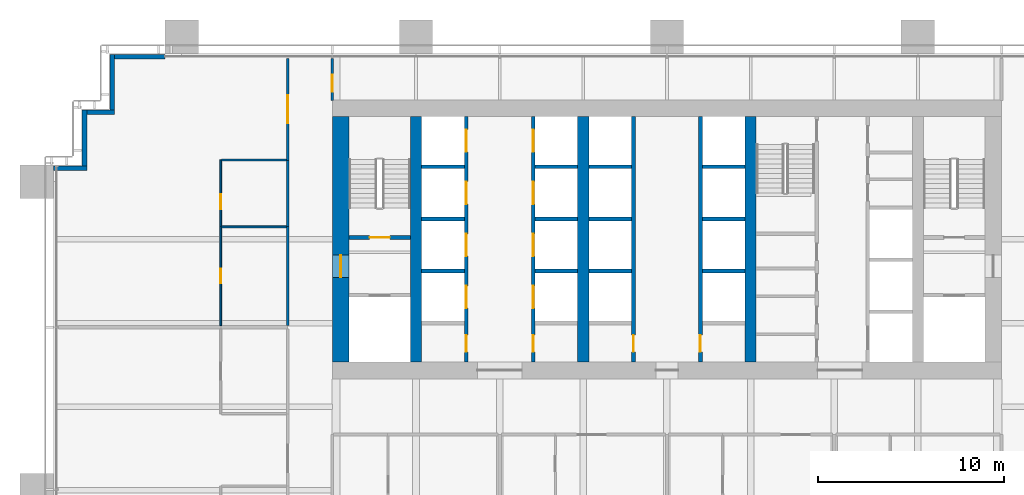
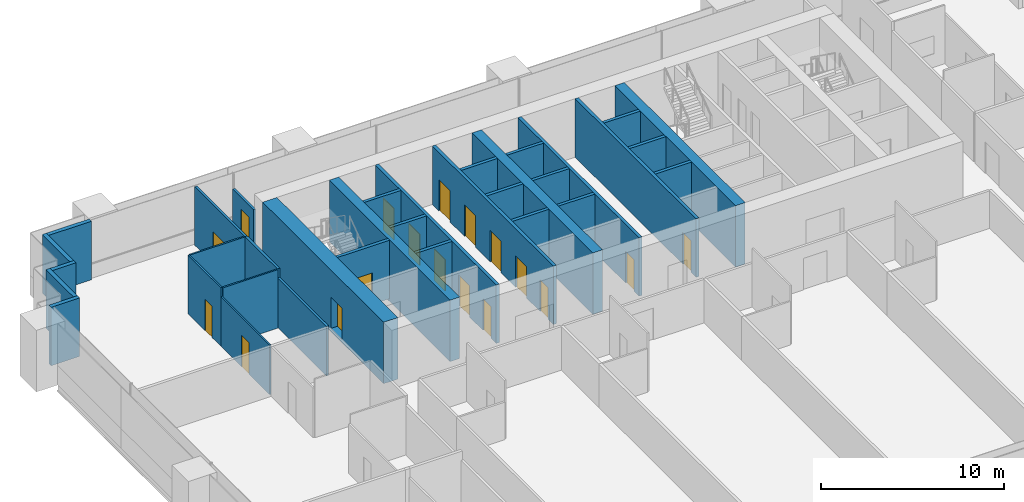
# One storey, part 13 of 19: 34 walls, 18 doors, 18 openings.
"""IFC4 building model written with IfcOpenShell, lengths in metres."""

import ifcopenshell
import ifcopenshell.guid

model = None  # the IFC model being written
_history = None  # IfcOwnerHistory: only IFC2X3 demands one
_inside = {}  # id of a spatial element -> (the spatial element, [elements in it])
_under = {}  # id of a project, library or spatial element -> (it, [spatial elements below it])
_declared = {}  # id of a project -> (the project, [libraries it declares])
_typed = {}  # id of a type object -> (the type object, [elements of that type])
_made_of = {}  # id of a material, layer set ... -> (it, [elements and type objects made of it])


def new_model(schema):
    """Start an empty IFC model of exactly this schema.

    Asked for "IFC4X3", IfcOpenShell would pick the latest addendum, in which some entities
    have other attributes; the version numbers below select the first issue.
    IFC2X3 requires an IfcOwnerHistory on every rooted entity: one is made here for all.
    """
    global model, _history
    if schema == "IFC4X3":
        model = ifcopenshell.file(schema_version=(4, 3, 0, 0))
    else:
        model = ifcopenshell.file(schema=schema)
    _inside.clear()
    _under.clear()
    _declared.clear()
    _typed.clear()
    _made_of.clear()
    _history = None
    if model.schema == "IFC2X3":
        org = make("IfcOrganization", Name="unknown")
        user = make(
            "IfcPersonAndOrganization",
            ThePerson=make("IfcPerson", FamilyName="unknown"),
            TheOrganization=org,
        )
        app = make(
            "IfcApplication",
            ApplicationDeveloper=org,
            Version="unknown",
            ApplicationFullName="unknown",
            ApplicationIdentifier="unknown",
        )
        _history = make(
            "IfcOwnerHistory",
            OwningUser=user,
            OwningApplication=app,
            ChangeAction="ADDED",
            CreationDate=0,
        )
    return model


def make(cls, **values):
    """One entity of the class cls with the attributes given. An attribute that is None is left unset."""
    return model.create_entity(
        cls, **{name: value for name, value in values.items() if value is not None}
    )


def rooted(cls, **values):
    """An entity with a GlobalId (a new one), such as an element, a storey or a relation."""
    return make(cls, GlobalId=ifcopenshell.guid.new(), OwnerHistory=_history, **values)


def si_unit(unit_type, name, prefix=None):
    """IfcSIUnit, for example si_unit("LENGTHUNIT", "METRE", prefix="MILLI")."""
    return make("IfcSIUnit", UnitType=unit_type, Prefix=prefix, Name=name)


def assignment(units):
    """IfcUnitAssignment: the units of a project."""
    return None if units is None else make("IfcUnitAssignment", Units=units)


def point(xyz):
    """IfcCartesianPoint."""
    return None if xyz is None else make("IfcCartesianPoint", Coordinates=xyz)


def direction(xyz):
    """IfcDirection."""
    return None if xyz is None else make("IfcDirection", DirectionRatios=xyz)


def frame(location, z_axis=None, x_axis=None):
    """IfcAxis2Placement3D, a coordinate frame: its origin and axes. An axis left out is left unset."""
    return make(
        "IfcAxis2Placement3D",
        Location=point(location),
        Axis=direction(z_axis),
        RefDirection=direction(x_axis),
    )


def frame_2d(location, x_axis=None):
    """IfcAxis2Placement2D, a coordinate frame in the plane: its origin and x axis."""
    return make(
        "IfcAxis2Placement2D", Location=point(location), RefDirection=direction(x_axis)
    )


def origin():
    """The frame at (0, 0, 0) with its axes left unset."""
    return frame((0.0, 0.0, 0.0))


def place(relative_to, where):
    """IfcLocalPlacement: puts the frame where relative to a parent placement (None: the world)."""
    return make(
        "IfcLocalPlacement", PlacementRelTo=relative_to, RelativePlacement=where
    )


def context(
    kind, dimensions, precision=None, world=None, true_north=None, identifier=None
):
    """IfcGeometricRepresentationContext, for example the 3D "Model" context."""
    return make(
        "IfcGeometricRepresentationContext",
        ContextIdentifier=identifier,
        ContextType=kind,
        CoordinateSpaceDimension=dimensions,
        Precision=precision,
        WorldCoordinateSystem=world,
        TrueNorth=true_north,
    )


def subcontext(parent, identifier, kind, view, scale=None):
    """IfcGeometricRepresentationSubContext, for example "Body" below "Model"."""
    return make(
        "IfcGeometricRepresentationSubContext",
        ContextIdentifier=identifier,
        ContextType=kind,
        ParentContext=parent,
        TargetScale=scale,
        TargetView=view,
    )


def project(units=None, contexts=None):
    """IfcProject with its units and contexts."""
    return rooted(
        "IfcProject",
        Name="project",
        RepresentationContexts=contexts,
        UnitsInContext=assignment(units),
    )


def spatial(cls, under=None, at=None, **own):
    """A site, building, storey or space (cls), placed at a placement, below another one or the project."""
    s = rooted(cls, ObjectPlacement=at, **own)
    if under is not None:
        _under.setdefault(under.id(), (under, []))[1].append(s)
    return s


def profile(cls, at=None, kind="AREA", **sizes):
    """A parametric profile (cls). Its sizes go by their IFC names, for example OverallWidth=200.0."""
    return make(cls, ProfileType=kind, Position=at, **sizes)


def rectangle(**sizes):
    """IfcRectangleProfileDef."""
    return profile("IfcRectangleProfileDef", **sizes)


def extrude(swept, where, along, depth):
    """IfcExtrudedAreaSolid: the profile swept, set in the frame where, extruded along a direction by depth."""
    return make(
        "IfcExtrudedAreaSolid",
        SweptArea=swept,
        Position=where,
        ExtrudedDirection=direction(along),
        Depth=depth,
    )


def shape(context_of_items, identifier, shape_type, items):
    """IfcShapeRepresentation: the items that make up one representation, for example the "Body"."""
    return make(
        "IfcShapeRepresentation",
        ContextOfItems=context_of_items,
        RepresentationIdentifier=identifier,
        RepresentationType=shape_type,
        Items=items,
    )


def material(Name=None, Category=None):
    """IfcMaterial."""
    return make("IfcMaterial", Name=Name, Category=Category)


def layer(
    of_material, thickness, ventilated=None, Name=None, Category=None, Priority=None
):
    """IfcMaterialLayer: one layer of a wall or slab, of a material (None: an air gap)."""
    return make(
        "IfcMaterialLayer",
        Material=of_material,
        LayerThickness=thickness,
        IsVentilated=ventilated,
        Name=Name,
        Category=Category,
        Priority=Priority,
    )


def layer_set(layers, Name=None):
    """IfcMaterialLayerSet."""
    return make("IfcMaterialLayerSet", MaterialLayers=layers, LayerSetName=Name)


def made_of(thing, what):
    """Note that an element or type object is made of a material, layer set ...; save() writes the relation."""
    if what is not None:
        _made_of.setdefault(what.id(), (what, []))[1].append(thing)
    return thing


def type_object(cls, material=None, **own):
    """A type object (cls), such as IfcWallType, which elements share."""
    return made_of(rooted(cls, **own), material)


def element(
    cls,
    number,
    at=None,
    inside=None,
    cuts=None,
    type_object=None,
    material=None,
    context=None,
    identifier="Body",
    shape_type=None,
    held_by="IfcProductDefinitionShape",
    body=None,
    shapes=None,
    **own,
):
    """One element of the class cls, such as IfcWall. Its Tag is "e" and its number.

    at: its placement. inside: the storey or other place that contains it. cuts: it is an
    opening in that element (IfcRelVoidsElement). A single representation is given by context,
    identifier, shape_type and body (its items); several are given by shapes. held_by: the class
    of the entity that holds the representations. save() writes the other relations.
    """
    e = rooted(cls, Tag="e%d" % number, ObjectPlacement=at, **own)
    if body is not None:
        shapes = [shape(context, identifier, shape_type, body)]
    if shapes is not None:
        e.Representation = make(held_by, Representations=shapes)
    if inside is not None:
        _inside.setdefault(inside.id(), (inside, []))[1].append(e)
    if cuts is not None:
        rooted(
            "IfcRelVoidsElement", RelatingBuildingElement=cuts, RelatedOpeningElement=e
        )
    if type_object is not None:
        _typed.setdefault(type_object.id(), (type_object, []))[1].append(e)
    return made_of(e, material)


def fill(opening, filler):
    """IfcRelFillsElement: the door or window that sits in an opening."""
    return rooted(
        "IfcRelFillsElement",
        RelatingOpeningElement=opening,
        RelatedBuildingElement=filler,
    )


def aggregate(whole, parts):
    """IfcRelAggregates: a whole, such as a stair, and the parts it consists of."""
    return rooted("IfcRelAggregates", RelatingObject=whole, RelatedObjects=parts)


def save(model, path):
    """Write the relations noted so far, then the file.

    IfcRelAggregates (storeys below a building ...), IfcRelContainedInSpatialStructure (elements
    in a storey), IfcRelDefinesByType, IfcRelAssociatesMaterial and IfcRelDeclares: one each for
    every whole, place, type object, material and project.
    """
    for whole, parts in _under.values():
        aggregate(whole, parts)
    for where, things in _inside.values():
        rooted(
            "IfcRelContainedInSpatialStructure",
            RelatedElements=things,
            RelatingStructure=where,
        )
    for kind, things in _typed.values():
        rooted("IfcRelDefinesByType", RelatedObjects=things, RelatingType=kind)
    for what, things in _made_of.values():
        rooted("IfcRelAssociatesMaterial", RelatedObjects=things, RelatingMaterial=what)
    for by, libraries in _declared.values():
        rooted("IfcRelDeclares", RelatingContext=by, RelatedDefinitions=libraries)
    model.write(path)


model = new_model("IFC4")

# Units and contexts
model_context = context("Model", 3, precision=1e-05, world=origin(), true_north=direction((0.0, 1.0)))
body_context = subcontext(model_context, "Body", "Model", "MODEL_VIEW")
ifc_project = project(units=[si_unit("LENGTHUNIT", "METRE"), si_unit("AREAUNIT", "SQUARE_METRE"), si_unit("VOLUMEUNIT", "CUBIC_METRE"), si_unit("PLANEANGLEUNIT", "RADIAN"), si_unit("MASSUNIT", "GRAM", prefix="KILO")], contexts=[model_context])

# Site, building, storey
site_placement = place(None, origin())
site = spatial("IfcSite", under=ifc_project, at=site_placement, CompositionType="ELEMENT")
building_placement = place(site_placement, origin())
building = spatial("IfcBuilding", under=site, at=building_placement, Name="Rattan Terrace Tower", CompositionType="ELEMENT")
storey_placement = place(building_placement, frame((0.0, 0.0, 65.199951171875)))
storey = spatial("IfcBuildingStorey", under=building, at=storey_placement, Name="L14", CompositionType="ELEMENT", Elevation=65.199951171875)

# Wall, opening, door
ifc_material_1 = material(Name="Gypsum board partition")
ifc_layer_1 = layer(ifc_material_1, 0.199951171875)
ifc_layer_set_1 = layer_set([ifc_layer_1], Name="Core partition 200")
wall_type_1 = type_object("IfcWallType", Name="Core partition 200", PredefinedType="PARTITIONING", material=ifc_layer_set_1)
wall_1_placement = place(storey_placement, frame((-17.10009765625, 0.10009765625, 0.0), z_axis=(0.0, 0.0, 1.0), x_axis=(1.0, 0.0, 0.0)))
wall_1 = element("IfcWall", 1, at=wall_1_placement, inside=storey, type_object=wall_type_1, Name="Stair enclosure wall", PredefinedType="PARTITIONING", context=body_context, shape_type="SweptSolid", body=[
    extrude(rectangle(XDim=3.300048828125, YDim=0.199951171875, at=frame_2d((1.64990234375, 0.0))), origin(), (0.0, 0.0, 1.0), 3.900146484375),
])
opening_1_placement = place(wall_1_placement, frame((1.10009765625, 0.0, 0.0)))
opening_1 = element("IfcOpeningElement", 2, at=opening_1_placement, cuts=wall_1, Name="Opening L14-D002", PredefinedType="OPENING", context=body_context, shape_type="SweptSolid", body=[
    extrude(rectangle(XDim=1.10009765625, YDim=2.10009765625, at=frame_2d((0.550048828125, 1.050048828125))), frame((0.0, 0.110595703125, 0.0), z_axis=(0.0, -1.0, 0.0), x_axis=(1.0, 0.0, 0.0)), (0.0, 0.0, 1.0), 0.220947265625),
])
ifc_material_2 = material(Name="Hollow-metal fire door leaf")
door_type_1 = type_object("IfcDoorType", Name="Core stair door 1100", OperationType="NOTDEFINED", PredefinedType="DOOR", material=ifc_material_2)
door_1_placement = place(opening_1_placement, origin())
door_1 = element("IfcDoor", 3, at=door_1_placement, inside=storey, type_object=door_type_1, Name="Door L14-D002", OperationType="SINGLE_SWING_RIGHT", OverallHeight=2.10009765625, OverallWidth=1.10009765625, PredefinedType="DOOR", context=body_context, shape_type="SweptSolid", body=[
    extrude(rectangle(XDim=1.10009765625, YDim=2.10009765625, at=frame_2d((0.550048828125, 1.050048828125))), frame((0.0, 0.02490234375, 0.0), z_axis=(0.0, -1.0, 0.0), x_axis=(1.0, 0.0, 0.0)), (0.0, 0.0, 1.0), 0.050048828125),
])
fill(opening_1, door_1)

ifc_material_3 = material(Name="Concrete C70/85", Category="concrete")
ifc_layer_2 = layer(ifc_material_3, 0.89990234375)
ifc_layer_set_2 = layer_set([ifc_layer_2], Name="Core ring wall 900 C70/85")
wall_type_2 = type_object("IfcWallType", Name="Core ring wall 900 C70/85", PredefinedType="SHEAR", material=ifc_layer_set_2)
wall_2_placement = place(storey_placement, frame((-17.550048828125, -6.60009765625, -0.199951171875), z_axis=(0.0, 0.0, 1.0), x_axis=(0.0, 1.0, 0.0)))
wall_2 = element("IfcWall", 4, at=wall_2_placement, inside=storey, type_object=wall_type_2, Name="Rear core wall west", PredefinedType="SHEAR", context=body_context, shape_type="SweptSolid", body=[
    extrude(rectangle(XDim=13.2001953125, YDim=0.89990234375, at=frame_2d((6.60009765625, 0.0))), origin(), (0.0, 0.0, 1.0), 4.10009765625),
])
opening_2_placement = place(wall_2_placement, frame((4.550048828125, 0.0, 0.199951171875)))
opening_2 = element("IfcOpeningElement", 5, at=opening_2_placement, cuts=wall_2, Name="Opening L14-D001", PredefinedType="OPENING", context=body_context, shape_type="SweptSolid", body=[
    extrude(rectangle(XDim=1.199951171875, YDim=2.10009765625, at=frame_2d((0.60009765625, 1.050048828125))), frame((0.0, 0.46044921875, 0.0), z_axis=(0.0, -1.0, 0.0), x_axis=(1.0, 0.0, 0.0)), (0.0, 0.0, 1.0), 0.9208984375),
])
ifc_material_4 = material(Name="Hollow-metal fire door leaf")
door_type_2 = type_object("IfcDoorType", Name="Core fire-fighting lobby door 1200", OperationType="NOTDEFINED", PredefinedType="DOOR", material=ifc_material_4)
door_2_placement = place(opening_2_placement, origin())
door_2 = element("IfcDoor", 6, at=door_2_placement, inside=storey, type_object=door_type_2, Name="Door L14-D001", OperationType="SINGLE_SWING_LEFT", OverallHeight=2.10009765625, OverallWidth=1.199951171875, PredefinedType="DOOR", context=body_context, shape_type="SweptSolid", body=[
    extrude(rectangle(XDim=1.199951171875, YDim=2.10009765625, at=frame_2d((0.60009765625, 1.050048828125))), frame((0.0, 0.02490234375, 0.0), z_axis=(0.0, -1.0, 0.0), x_axis=(1.0, 0.0, 0.0)), (0.0, 0.0, 1.0), 0.050048828125),
])
fill(opening_2, door_2)

# Walls
ifc_material_5 = material(Name="Concrete C70/85", Category="concrete")
ifc_layer_3 = layer(ifc_material_5, 0.60009765625)
ifc_layer_set_3 = layer_set([ifc_layer_3], Name="Core spine wall 600 C70/85")
wall_type_3 = type_object("IfcWallType", Name="Core spine wall 600 C70/85", PredefinedType="SHEAR", material=ifc_layer_set_3)
for number, where, z_axis, x_axis, name in (
    (7, (-13.5, -6.60009765625, -0.199951171875), (0.0, 0.0, 1.0), (0.0, 1.0, 0.0), "Core spine wall 1"),
    (8, (-4.5, -6.60009765625, -0.199951171875), (0.0, 0.0, 1.0), (0.0, 1.0, 0.0), "Core spine wall 2"),
    (9, (4.5, -6.60009765625, -0.199951171875), (0.0, 0.0, 1.0), (0.0, 1.0, 0.0), "Core spine wall 3"),
):
    element("IfcWall", number, at=place(storey_placement, frame(where, z_axis=z_axis, x_axis=x_axis)), inside=storey, type_object=wall_type_3, Name=name, PredefinedType="SHEAR", context=body_context, shape_type="SweptSolid", body=[
        extrude(rectangle(XDim=13.2001953125, YDim=0.60009765625, at=frame_2d((6.60009765625, 0.0))), origin(), (0.0, 0.0, 1.0), 4.10009765625),
    ])
ifc_material_6 = material(Name="Insulated aluminium-clad stud wall", Category="aluminium")
ifc_layer_4 = layer(ifc_material_6, 0.25)
ifc_layer_set_4 = layer_set([ifc_layer_4], Name="Facade Riser Wall 250")
wall_type_4 = type_object("IfcWallType", Name="Facade Riser Wall 250", PredefinedType="SOLIDWALL", material=ifc_layer_set_4)
wall_3_placement = place(storey_placement, frame((-27.0, 9.830078125, 0.0), z_axis=(0.0, 0.0, 1.0), x_axis=(-1.0, 0.0, 0.0)))
element("IfcWall", 10, at=wall_3_placement, inside=storey, type_object=wall_type_4, Name="Riser wall L14-11", PredefinedType="SOLIDWALL", context=body_context, shape_type="SweptSolid", body=[
    extrude(rectangle(XDim=2.705078125, YDim=0.25, at=frame_2d((1.3525390625, 0.0))), origin(), (0.0, 0.0, 1.0), 3.900146484375),
])
wall_4_placement = place(storey_placement, frame((-29.830078125, 9.955078125, 0.0), z_axis=(0.0, 0.0, 1.0), x_axis=(0.0, -1.0, 0.0)))
element("IfcWall", 11, at=wall_4_placement, inside=storey, type_object=wall_type_4, Name="Riser wall L14-12", PredefinedType="SOLIDWALL", context=body_context, shape_type="SweptSolid", body=[
    extrude(rectangle(XDim=3.0, YDim=0.25, at=frame_2d((1.5, 0.0))), origin(), (0.0, 0.0, 1.0), 3.900146484375),
])
wall_5_placement = place(storey_placement, frame((-29.705078125, 6.830078125, 0.0), z_axis=(0.0, 0.0, 1.0), x_axis=(-1.0, 0.0, 0.0)))
element("IfcWall", 12, at=wall_5_placement, inside=storey, type_object=wall_type_4, Name="Riser wall L14-13", PredefinedType="SOLIDWALL", context=body_context, shape_type="SweptSolid", body=[
    extrude(rectangle(XDim=1.5, YDim=0.25, at=frame_2d((0.75, 0.0))), origin(), (0.0, 0.0, 1.0), 3.900146484375),
])
wall_6_placement = place(storey_placement, frame((-31.330078125, 6.955078125, 0.0), z_axis=(0.0, 0.0, 1.0), x_axis=(0.0, -1.0, 0.0)))
element("IfcWall", 13, at=wall_6_placement, inside=storey, type_object=wall_type_4, Name="Riser wall L14-14", PredefinedType="SOLIDWALL", context=body_context, shape_type="SweptSolid", body=[
    extrude(rectangle(XDim=3.0, YDim=0.25, at=frame_2d((1.5, 0.0))), origin(), (0.0, 0.0, 1.0), 3.900146484375),
])
wall_7_placement = place(storey_placement, frame((-31.205078125, 3.830078125, 0.0), z_axis=(0.0, 0.0, 1.0), x_axis=(-1.0, 0.0, 0.0)))
element("IfcWall", 14, at=wall_7_placement, inside=storey, type_object=wall_type_4, Name="Riser wall L14-15", PredefinedType="SOLIDWALL", context=body_context, shape_type="SweptSolid", body=[
    extrude(rectangle(XDim=1.7998046875, YDim=0.25, at=frame_2d((0.89990234375, 0.0))), origin(), (0.0, 0.0, 1.0), 3.900146484375),
])

# Wall, opening, door
ifc_material_7 = material(Name="Gypsum board partition on steel studs", Category="steel")
ifc_layer_5 = layer(ifc_material_7, 0.10009765625)
ifc_layer_set_5 = layer_set([ifc_layer_5], Name="Floors Partition 100")
wall_type_5 = type_object("IfcWallType", Name="Floors Partition 100", PredefinedType="PARTITIONING", material=ifc_layer_set_5)
wall_8_placement = place(storey_placement, frame((-24.0, 0.693115234375, 0.0), z_axis=(0.0, 0.0, 1.0), x_axis=(0.0, -1.0, 0.0)))
wall_8 = element("IfcWall", 15, at=wall_8_placement, inside=storey, type_object=wall_type_5, Name="pt-L14-044", PredefinedType="PARTITIONING", context=body_context, shape_type="SweptSolid", body=[
    extrude(rectangle(XDim=5.330078125, YDim=0.10009765625, at=frame_2d((2.6650390625, 0.0))), origin(), (0.0, 0.0, 1.0), 3.300048828125),
])
opening_3_placement = place(wall_8_placement, frame((2.264892578125, 0.0, 0.0)))
opening_3 = element("IfcOpeningElement", 16, at=opening_3_placement, cuts=wall_8, Name="Opening L14-D107", PredefinedType="OPENING", context=body_context, shape_type="SweptSolid", body=[
    extrude(rectangle(XDim=0.800048828125, YDim=2.10009765625, at=frame_2d((0.39990234375, 1.050048828125))), frame((0.0, 0.060546875, 0.0), z_axis=(0.0, -1.0, 0.0), x_axis=(1.0, 0.0, 0.0)), (0.0, 0.0, 1.0), 0.12109375),
])
ifc_material_8 = material(Name="Solid core timber door, painted", Category="wood")
door_type_3 = type_object("IfcDoorType", Name="Floors Store Door 800x2100", OperationType="NOTDEFINED", PredefinedType="DOOR", material=ifc_material_8)
door_3_placement = place(opening_3_placement, origin())
door_3 = element("IfcDoor", 17, at=door_3_placement, inside=storey, type_object=door_type_3, Name="d-L14-107", OperationType="SINGLE_SWING_RIGHT", OverallHeight=2.10009765625, OverallWidth=0.800048828125, PredefinedType="DOOR", context=body_context, shape_type="SweptSolid", body=[
    extrude(rectangle(XDim=0.800048828125, YDim=2.10009765625, at=frame_2d((0.39990234375, 1.050048828125))), frame((0.0, 0.02490234375, 0.0), z_axis=(0.0, -1.0, 0.0), x_axis=(1.0, 0.0, 0.0)), (0.0, 0.0, 1.0), 0.050048828125),
])
fill(opening_3, door_3)

wall_9_placement = place(storey_placement, frame((-24.0, 4.27294921875, 0.0), z_axis=(0.0, 0.0, 1.0), x_axis=(0.0, -1.0, 0.0)))
wall_9 = element("IfcWall", 18, at=wall_9_placement, inside=storey, type_object=wall_type_5, Name="pt-L14-045", PredefinedType="PARTITIONING", context=body_context, shape_type="SweptSolid", body=[
    extrude(rectangle(XDim=3.579833984375, YDim=0.10009765625, at=frame_2d((1.7900390625, 0.0))), origin(), (0.0, 0.0, 1.0), 3.900146484375),
])
opening_4_placement = place(wall_9_placement, frame((1.845947265625, 0.0, 0.0)))
opening_4 = element("IfcOpeningElement", 19, at=opening_4_placement, cuts=wall_9, Name="Opening L14-D108", PredefinedType="OPENING", context=body_context, shape_type="SweptSolid", body=[
    extrude(rectangle(XDim=0.800048828125, YDim=2.10009765625, at=frame_2d((0.39990234375, 1.050048828125))), frame((0.0, 0.060546875, 0.0), z_axis=(0.0, -1.0, 0.0), x_axis=(1.0, 0.0, 0.0)), (0.0, 0.0, 1.0), 0.12109375),
])
door_4_placement = place(opening_4_placement, origin())
door_4 = element("IfcDoor", 20, at=door_4_placement, inside=storey, type_object=door_type_3, Name="d-L14-108", OperationType="SINGLE_SWING_RIGHT", OverallHeight=2.10009765625, OverallWidth=0.800048828125, PredefinedType="DOOR", context=body_context, shape_type="SweptSolid", body=[
    extrude(rectangle(XDim=0.800048828125, YDim=2.10009765625, at=frame_2d((0.39990234375, 1.050048828125))), frame((0.0, 0.02490234375, 0.0), z_axis=(0.0, -1.0, 0.0), x_axis=(1.0, 0.0, 0.0)), (0.0, 0.0, 1.0), 0.050048828125),
])
fill(opening_4, door_4)

# Walls
for number, where, z_axis, x_axis, name in (
    (21, (-20.47509765625, 4.27294921875, 0.0), (0.0, 0.0, 1.0), (-1.0, 0.0, 0.0), "pt-L14-046"),
    (22, (-23.949951171875, 0.673095703125, 0.0), (0.0, 0.0, 1.0), (1.0, 0.0, 0.0), "pt-L14-047"),
):
    element("IfcWall", number, at=place(storey_placement, frame(where, z_axis=z_axis, x_axis=x_axis)), inside=storey, type_object=wall_type_5, Name=name, PredefinedType="PARTITIONING", context=body_context, shape_type="SweptSolid", body=[
        extrude(rectangle(XDim=3.474853515625, YDim=0.10009765625, at=frame_2d((1.7373046875, 0.0))), origin(), (0.0, 0.0, 1.0), 3.900146484375),
    ])

# Wall, opening, door
ifc_material_9 = material(Name="Gypsum board partition on steel studs, fire rated", Category="steel")
ifc_layer_6 = layer(ifc_material_9, 0.14990234375)
ifc_layer_set_6 = layer_set([ifc_layer_6], Name="Floors Tenancy Wall 150")
wall_type_6 = type_object("IfcWallType", Name="Floors Tenancy Wall 150", PredefinedType="PARTITIONING", material=ifc_layer_set_6)
wall_10_placement = place(storey_placement, frame((-20.39990234375, 4.2529296875, 0.0), z_axis=(0.0, 0.0, 1.0), x_axis=(0.0, 1.0, 0.0)))
wall_10 = element("IfcWall", 23, at=wall_10_placement, inside=storey, type_object=wall_type_6, Name="pt-L14-007", PredefinedType="PARTITIONING", context=body_context, shape_type="SweptSolid", body=[
    extrude(rectangle(XDim=5.487060546875, YDim=0.14990234375, at=frame_2d((2.74365234375, 0.0))), origin(), (0.0, 0.0, 1.0), 3.900146484375),
])
opening_5_placement = place(wall_10_placement, frame((1.993896484375, 0.0, 0.0)))
opening_5 = element("IfcOpeningElement", 24, at=opening_5_placement, cuts=wall_10, Name="Opening L14-D106", PredefinedType="OPENING", context=body_context, shape_type="SweptSolid", body=[
    extrude(rectangle(XDim=1.5, YDim=2.10009765625, at=frame_2d((0.75, 1.050048828125))), frame((0.0, 0.08544921875, 0.0), z_axis=(0.0, -1.0, 0.0), x_axis=(1.0, 0.0, 0.0)), (0.0, 0.0, 1.0), 0.1708984375),
])
ifc_material_10 = material(Name="Steel fire door set", Category="steel")
door_type_4 = type_object("IfcDoorType", Name="Floors Unit Door Pair FD30S 1500x2100", OperationType="NOTDEFINED", PredefinedType="DOOR", material=ifc_material_10)
door_5_placement = place(opening_5_placement, origin())
door_5 = element("IfcDoor", 25, at=door_5_placement, inside=storey, type_object=door_type_4, Name="d-L14-106", OperationType="DOUBLE_DOOR_SINGLE_SWING", OverallHeight=2.10009765625, OverallWidth=1.5, PredefinedType="DOOR", context=body_context, shape_type="SweptSolid", body=[
    extrude(rectangle(XDim=1.5, YDim=2.10009765625, at=frame_2d((0.75, 1.050048828125))), frame((0.0, 0.02490234375, 0.0), z_axis=(0.0, -1.0, 0.0), x_axis=(1.0, 0.0, 0.0)), (0.0, 0.0, 1.0), 0.050048828125),
])
fill(opening_5, door_5)

# Walls
wall_11_placement = place(storey_placement, frame((-20.39990234375, -4.636962890625, 0.0), z_axis=(0.0, 0.0, 1.0), x_axis=(0.0, 1.0, 0.0)))
element("IfcWall", 26, at=wall_11_placement, inside=storey, type_object=wall_type_6, Name="pt-L14-008", PredefinedType="PARTITIONING", context=body_context, shape_type="SweptSolid", body=[
    extrude(rectangle(XDim=5.330078125, YDim=0.14990234375, at=frame_2d((2.6650390625, 0.0))), origin(), (0.0, 0.0, 1.0), 3.300048828125),
])
wall_12_placement = place(storey_placement, frame((-20.39990234375, 0.693115234375, 0.0), z_axis=(0.0, 0.0, 1.0), x_axis=(0.0, 1.0, 0.0)))
element("IfcWall", 27, at=wall_12_placement, inside=storey, type_object=wall_type_6, Name="pt-L14-009", PredefinedType="PARTITIONING", context=body_context, shape_type="SweptSolid", body=[
    extrude(rectangle(XDim=3.559814453125, YDim=0.14990234375, at=frame_2d((1.77978515625, 0.0))), origin(), (0.0, 0.0, 1.0), 3.900146484375),
])

# Wall, opening, door
wall_13_placement = place(storey_placement, frame((-18.0, 9.739990234375, 0.0), z_axis=(0.0, 0.0, 1.0), x_axis=(0.0, -1.0, 0.0)))
wall_13 = element("IfcWall", 28, at=wall_13_placement, inside=storey, type_object=wall_type_6, Name="pt-L14-018", PredefinedType="PARTITIONING", context=body_context, shape_type="SweptSolid", body=[
    extrude(rectangle(XDim=2.260009765625, YDim=0.14990234375, at=frame_2d((1.1298828125, 0.0))), origin(), (0.0, 0.0, 1.0), 2.900146484375),
])
opening_6_placement = place(wall_13_placement, frame((0.89501953125, 0.0, 0.0)))
opening_6 = element("IfcOpeningElement", 29, at=opening_6_placement, cuts=wall_13, Name="Opening L14-D117", PredefinedType="OPENING", context=body_context, shape_type="SweptSolid", body=[
    extrude(rectangle(XDim=0.89990234375, YDim=2.10009765625, at=frame_2d((0.449951171875, 1.050048828125))), frame((0.0, 0.08544921875, 0.0), z_axis=(0.0, -1.0, 0.0), x_axis=(1.0, 0.0, 0.0)), (0.0, 0.0, 1.0), 0.1708984375),
])
ifc_material_11 = material(Name="Steel fire door set", Category="steel")
door_type_5 = type_object("IfcDoorType", Name="Floors Fire Door FD30S 900x2100", OperationType="NOTDEFINED", PredefinedType="DOOR", material=ifc_material_11)
door_6_placement = place(opening_6_placement, origin())
door_6 = element("IfcDoor", 30, at=door_6_placement, inside=storey, type_object=door_type_5, Name="d-L14-117", OperationType="SINGLE_SWING_RIGHT", OverallHeight=2.10009765625, OverallWidth=0.89990234375, PredefinedType="DOOR", context=body_context, shape_type="SweptSolid", body=[
    extrude(rectangle(XDim=0.89990234375, YDim=2.10009765625, at=frame_2d((0.449951171875, 1.050048828125))), frame((0.0, 0.02490234375, 0.0), z_axis=(0.0, -1.0, 0.0), x_axis=(1.0, 0.0, 0.0)), (0.0, 0.0, 1.0), 0.050048828125),
])
fill(opening_6, door_6)

# Wall, openings, doors
ifc_material_12 = material(Name="Gypsum shaft wall system")
ifc_layer_7 = layer(ifc_material_12, 0.199951171875)
ifc_layer_set_7 = layer_set([ifc_layer_7], Name="Lift shaft wall 200")
wall_type_7 = type_object("IfcWallType", Name="Lift shaft wall 200", PredefinedType="PARTITIONING", material=ifc_layer_set_7)
wall_14_placement = place(storey_placement, frame((-10.800048828125, -6.60009765625, 0.0), z_axis=(0.0, 0.0, 1.0), x_axis=(0.0, 1.0, 0.0)))
wall_14 = element("IfcWall", 31, at=wall_14_placement, inside=storey, type_object=wall_type_7, Name="Lift shaft front wall", PredefinedType="PARTITIONING", context=body_context, shape_type="SweptSolid", body=[
    extrude(rectangle(XDim=13.2001953125, YDim=0.199951171875, at=frame_2d((6.60009765625, 0.0))), origin(), (0.0, 0.0, 1.0), 3.900146484375),
])
opening_7_placement = place(wall_14_placement, frame((0.550048828125, 0.0, 0.0)))
opening_7 = element("IfcOpeningElement", 32, at=opening_7_placement, cuts=wall_14, Name="Opening L14-D005", PredefinedType="OPENING", context=body_context, shape_type="SweptSolid", body=[
    extrude(rectangle(XDim=0.89990234375, YDim=2.10009765625, at=frame_2d((0.449951171875, 1.050048828125))), frame((0.0, 0.110595703125, 0.0), z_axis=(0.0, -1.0, 0.0), x_axis=(1.0, 0.0, 0.0)), (0.0, 0.0, 1.0), 0.220947265625),
])
opening_8_placement = place(wall_14_placement, frame((2.89990234375, 0.0, 0.0)))
opening_8 = element("IfcOpeningElement", 33, at=opening_8_placement, cuts=wall_14, Name="Opening L14-LD-LR1", PredefinedType="OPENING", context=body_context, shape_type="SweptSolid", body=[
    extrude(rectangle(XDim=1.199951171875, YDim=2.10009765625, at=frame_2d((0.60009765625, 1.050048828125))), frame((0.0, 0.110595703125, 0.0), z_axis=(0.0, -1.0, 0.0), x_axis=(1.0, 0.0, 0.0)), (0.0, 0.0, 1.0), 0.220947265625),
])
opening_9_placement = place(wall_14_placement, frame((5.699951171875, 0.0, 0.0)))
opening_9 = element("IfcOpeningElement", 34, at=opening_9_placement, cuts=wall_14, Name="Opening L14-LD-LR2", PredefinedType="OPENING", context=body_context, shape_type="SweptSolid", body=[
    extrude(rectangle(XDim=1.199951171875, YDim=2.10009765625, at=frame_2d((0.60009765625, 1.050048828125))), frame((0.0, 0.110595703125, 0.0), z_axis=(0.0, -1.0, 0.0), x_axis=(1.0, 0.0, 0.0)), (0.0, 0.0, 1.0), 0.220947265625),
])
opening_10_placement = place(wall_14_placement, frame((8.5, 0.0, 0.0)))
opening_10 = element("IfcOpeningElement", 35, at=opening_10_placement, cuts=wall_14, Name="Opening L14-LD-LR3", PredefinedType="OPENING", context=body_context, shape_type="SweptSolid", body=[
    extrude(rectangle(XDim=1.199951171875, YDim=2.10009765625, at=frame_2d((0.60009765625, 1.050048828125))), frame((0.0, 0.110595703125, 0.0), z_axis=(0.0, -1.0, 0.0), x_axis=(1.0, 0.0, 0.0)), (0.0, 0.0, 1.0), 0.220947265625),
])
opening_11_placement = place(wall_14_placement, frame((11.300048828125, 0.0, 0.0)))
opening_11 = element("IfcOpeningElement", 36, at=opening_11_placement, cuts=wall_14, Name="Opening L14-LD-LR4", PredefinedType="OPENING", context=body_context, shape_type="SweptSolid", body=[
    extrude(rectangle(XDim=1.199951171875, YDim=2.10009765625, at=frame_2d((0.60009765625, 1.050048828125))), frame((0.0, 0.110595703125, 0.0), z_axis=(0.0, -1.0, 0.0), x_axis=(1.0, 0.0, 0.0)), (0.0, 0.0, 1.0), 0.220947265625),
])
ifc_material_13 = material(Name="Brushed stainless landing door panel")
door_type_6 = type_object("IfcDoorType", Name="Core lift landing door 1200", OperationType="DOUBLE_DOOR_SLIDING", PredefinedType="DOOR", material=ifc_material_13)
door_7_placement = place(opening_8_placement, origin())
door_7 = element("IfcDoor", 37, at=door_7_placement, inside=storey, type_object=door_type_6, Name="Door L14-LD-LR1", OperationType="DOUBLE_DOOR_SLIDING", OverallHeight=2.10009765625, OverallWidth=1.199951171875, PredefinedType="DOOR", context=body_context, shape_type="SweptSolid", body=[
    extrude(rectangle(XDim=1.199951171875, YDim=2.10009765625, at=frame_2d((0.60009765625, 1.050048828125))), frame((0.0, 0.02490234375, 0.0), z_axis=(0.0, -1.0, 0.0), x_axis=(1.0, 0.0, 0.0)), (0.0, 0.0, 1.0), 0.050048828125),
])
fill(opening_8, door_7)
door_8_placement = place(opening_9_placement, origin())
door_8 = element("IfcDoor", 38, at=door_8_placement, inside=storey, type_object=door_type_6, Name="Door L14-LD-LR2", OperationType="DOUBLE_DOOR_SLIDING", OverallHeight=2.10009765625, OverallWidth=1.199951171875, PredefinedType="DOOR", context=body_context, shape_type="SweptSolid", body=[
    extrude(rectangle(XDim=1.199951171875, YDim=2.10009765625, at=frame_2d((0.60009765625, 1.050048828125))), frame((0.0, 0.02490234375, 0.0), z_axis=(0.0, -1.0, 0.0), x_axis=(1.0, 0.0, 0.0)), (0.0, 0.0, 1.0), 0.050048828125),
])
fill(opening_9, door_8)
door_9_placement = place(opening_10_placement, origin())
door_9 = element("IfcDoor", 39, at=door_9_placement, inside=storey, type_object=door_type_6, Name="Door L14-LD-LR3", OperationType="DOUBLE_DOOR_SLIDING", OverallHeight=2.10009765625, OverallWidth=1.199951171875, PredefinedType="DOOR", context=body_context, shape_type="SweptSolid", body=[
    extrude(rectangle(XDim=1.199951171875, YDim=2.10009765625, at=frame_2d((0.60009765625, 1.050048828125))), frame((0.0, 0.02490234375, 0.0), z_axis=(0.0, -1.0, 0.0), x_axis=(1.0, 0.0, 0.0)), (0.0, 0.0, 1.0), 0.050048828125),
])
fill(opening_10, door_9)
door_10_placement = place(opening_11_placement, origin())
door_10 = element("IfcDoor", 40, at=door_10_placement, inside=storey, type_object=door_type_6, Name="Door L14-LD-LR4", OperationType="DOUBLE_DOOR_SLIDING", OverallHeight=2.10009765625, OverallWidth=1.199951171875, PredefinedType="DOOR", context=body_context, shape_type="SweptSolid", body=[
    extrude(rectangle(XDim=1.199951171875, YDim=2.10009765625, at=frame_2d((0.60009765625, 1.050048828125))), frame((0.0, 0.02490234375, 0.0), z_axis=(0.0, -1.0, 0.0), x_axis=(1.0, 0.0, 0.0)), (0.0, 0.0, 1.0), 0.050048828125),
])
fill(opening_11, door_10)
ifc_material_14 = material(Name="Hollow-metal fire door leaf")
door_type_7 = type_object("IfcDoorType", Name="Core riser door 900", OperationType="NOTDEFINED", PredefinedType="DOOR", material=ifc_material_14)
door_11_placement = place(opening_7_placement, origin())
door_11 = element("IfcDoor", 41, at=door_11_placement, inside=storey, type_object=door_type_7, Name="Door L14-D005", OperationType="SINGLE_SWING_LEFT", OverallHeight=2.10009765625, OverallWidth=0.89990234375, PredefinedType="DOOR", context=body_context, shape_type="SweptSolid", body=[
    extrude(rectangle(XDim=0.89990234375, YDim=2.10009765625, at=frame_2d((0.449951171875, 1.050048828125))), frame((0.0, 0.02490234375, 0.0), z_axis=(0.0, -1.0, 0.0), x_axis=(1.0, 0.0, 0.0)), (0.0, 0.0, 1.0), 0.050048828125),
])
fill(opening_7, door_11)

wall_15_placement = place(storey_placement, frame((-7.199951171875, -6.60009765625, 0.0), z_axis=(0.0, 0.0, 1.0), x_axis=(0.0, 1.0, 0.0)))
wall_15 = element("IfcWall", 42, at=wall_15_placement, inside=storey, type_object=wall_type_7, Name="Lift shaft front wall", PredefinedType="PARTITIONING", context=body_context, shape_type="SweptSolid", body=[
    extrude(rectangle(XDim=13.2001953125, YDim=0.199951171875, at=frame_2d((6.60009765625, 0.0))), origin(), (0.0, 0.0, 1.0), 3.900146484375),
])
opening_12_placement = place(wall_15_placement, frame((0.550048828125, 0.0, 0.0)))
opening_12 = element("IfcOpeningElement", 43, at=opening_12_placement, cuts=wall_15, Name="Opening L14-D006", PredefinedType="OPENING", context=body_context, shape_type="SweptSolid", body=[
    extrude(rectangle(XDim=0.89990234375, YDim=2.10009765625, at=frame_2d((0.449951171875, 1.050048828125))), frame((0.0, 0.110595703125, 0.0), z_axis=(0.0, -1.0, 0.0), x_axis=(1.0, 0.0, 0.0)), (0.0, 0.0, 1.0), 0.220947265625),
])
opening_13_placement = place(wall_15_placement, frame((2.89990234375, 0.0, 0.0)))
opening_13 = element("IfcOpeningElement", 44, at=opening_13_placement, cuts=wall_15, Name="Opening L14-LD-LR5", PredefinedType="OPENING", context=body_context, shape_type="SweptSolid", body=[
    extrude(rectangle(XDim=1.199951171875, YDim=2.10009765625, at=frame_2d((0.60009765625, 1.050048828125))), frame((0.0, 0.110595703125, 0.0), z_axis=(0.0, -1.0, 0.0), x_axis=(1.0, 0.0, 0.0)), (0.0, 0.0, 1.0), 0.220947265625),
])
opening_14_placement = place(wall_15_placement, frame((5.699951171875, 0.0, 0.0)))
opening_14 = element("IfcOpeningElement", 45, at=opening_14_placement, cuts=wall_15, Name="Opening L14-LD-LR6", PredefinedType="OPENING", context=body_context, shape_type="SweptSolid", body=[
    extrude(rectangle(XDim=1.199951171875, YDim=2.10009765625, at=frame_2d((0.60009765625, 1.050048828125))), frame((0.0, 0.110595703125, 0.0), z_axis=(0.0, -1.0, 0.0), x_axis=(1.0, 0.0, 0.0)), (0.0, 0.0, 1.0), 0.220947265625),
])
opening_15_placement = place(wall_15_placement, frame((8.5, 0.0, 0.0)))
opening_15 = element("IfcOpeningElement", 46, at=opening_15_placement, cuts=wall_15, Name="Opening L14-LD-LR7", PredefinedType="OPENING", context=body_context, shape_type="SweptSolid", body=[
    extrude(rectangle(XDim=1.199951171875, YDim=2.10009765625, at=frame_2d((0.60009765625, 1.050048828125))), frame((0.0, 0.110595703125, 0.0), z_axis=(0.0, -1.0, 0.0), x_axis=(1.0, 0.0, 0.0)), (0.0, 0.0, 1.0), 0.220947265625),
])
opening_16_placement = place(wall_15_placement, frame((11.300048828125, 0.0, 0.0)))
opening_16 = element("IfcOpeningElement", 47, at=opening_16_placement, cuts=wall_15, Name="Opening L14-LD-LR8", PredefinedType="OPENING", context=body_context, shape_type="SweptSolid", body=[
    extrude(rectangle(XDim=1.199951171875, YDim=2.10009765625, at=frame_2d((0.60009765625, 1.050048828125))), frame((0.0, 0.110595703125, 0.0), z_axis=(0.0, -1.0, 0.0), x_axis=(1.0, 0.0, 0.0)), (0.0, 0.0, 1.0), 0.220947265625),
])
door_12_placement = place(opening_13_placement, origin())
door_12 = element("IfcDoor", 48, at=door_12_placement, inside=storey, type_object=door_type_6, Name="Door L14-LD-LR5", OperationType="DOUBLE_DOOR_SLIDING", OverallHeight=2.10009765625, OverallWidth=1.199951171875, PredefinedType="DOOR", context=body_context, shape_type="SweptSolid", body=[
    extrude(rectangle(XDim=1.199951171875, YDim=2.10009765625, at=frame_2d((0.60009765625, 1.050048828125))), frame((0.0, 0.02490234375, 0.0), z_axis=(0.0, -1.0, 0.0), x_axis=(1.0, 0.0, 0.0)), (0.0, 0.0, 1.0), 0.050048828125),
])
fill(opening_13, door_12)
door_13_placement = place(opening_14_placement, origin())
door_13 = element("IfcDoor", 49, at=door_13_placement, inside=storey, type_object=door_type_6, Name="Door L14-LD-LR6", OperationType="DOUBLE_DOOR_SLIDING", OverallHeight=2.10009765625, OverallWidth=1.199951171875, PredefinedType="DOOR", context=body_context, shape_type="SweptSolid", body=[
    extrude(rectangle(XDim=1.199951171875, YDim=2.10009765625, at=frame_2d((0.60009765625, 1.050048828125))), frame((0.0, 0.02490234375, 0.0), z_axis=(0.0, -1.0, 0.0), x_axis=(1.0, 0.0, 0.0)), (0.0, 0.0, 1.0), 0.050048828125),
])
fill(opening_14, door_13)
door_14_placement = place(opening_15_placement, origin())
door_14 = element("IfcDoor", 50, at=door_14_placement, inside=storey, type_object=door_type_6, Name="Door L14-LD-LR7", OperationType="DOUBLE_DOOR_SLIDING", OverallHeight=2.10009765625, OverallWidth=1.199951171875, PredefinedType="DOOR", context=body_context, shape_type="SweptSolid", body=[
    extrude(rectangle(XDim=1.199951171875, YDim=2.10009765625, at=frame_2d((0.60009765625, 1.050048828125))), frame((0.0, 0.02490234375, 0.0), z_axis=(0.0, -1.0, 0.0), x_axis=(1.0, 0.0, 0.0)), (0.0, 0.0, 1.0), 0.050048828125),
])
fill(opening_15, door_14)
door_15_placement = place(opening_16_placement, origin())
door_15 = element("IfcDoor", 51, at=door_15_placement, inside=storey, type_object=door_type_6, Name="Door L14-LD-LR8", OperationType="DOUBLE_DOOR_SLIDING", OverallHeight=2.10009765625, OverallWidth=1.199951171875, PredefinedType="DOOR", context=body_context, shape_type="SweptSolid", body=[
    extrude(rectangle(XDim=1.199951171875, YDim=2.10009765625, at=frame_2d((0.60009765625, 1.050048828125))), frame((0.0, 0.02490234375, 0.0), z_axis=(0.0, -1.0, 0.0), x_axis=(1.0, 0.0, 0.0)), (0.0, 0.0, 1.0), 0.050048828125),
])
fill(opening_16, door_15)
door_16_placement = place(opening_12_placement, origin())
door_16 = element("IfcDoor", 52, at=door_16_placement, inside=storey, type_object=door_type_7, Name="Door L14-D006", OperationType="SINGLE_SWING_RIGHT", OverallHeight=2.10009765625, OverallWidth=0.89990234375, PredefinedType="DOOR", context=body_context, shape_type="SweptSolid", body=[
    extrude(rectangle(XDim=0.89990234375, YDim=2.10009765625, at=frame_2d((0.449951171875, 1.050048828125))), frame((0.0, 0.02490234375, 0.0), z_axis=(0.0, -1.0, 0.0), x_axis=(1.0, 0.0, 0.0)), (0.0, 0.0, 1.0), 0.050048828125),
])
fill(opening_12, door_16)

# Walls
for number, where, z_axis, x_axis, name in (
    (53, (-13.199951171875, -1.699951171875, 0.0), (0.0, 0.0, 1.0), (1.0, 0.0, 0.0), "Lift shaft wall"),
    (54, (-13.199951171875, 1.10009765625, 0.0), (0.0, 0.0, 1.0), (1.0, 0.0, 0.0), "Lift shaft wall"),
    (55, (-13.199951171875, 3.89990234375, 0.0), (0.0, 0.0, 1.0), (1.0, 0.0, 0.0), "Lift shaft wall"),
    (56, (-7.10009765625, -1.699951171875, 0.0), (0.0, 0.0, 1.0), (1.0, 0.0, 0.0), "Lift shaft wall"),
    (57, (-7.10009765625, 1.10009765625, 0.0), (0.0, 0.0, 1.0), (1.0, 0.0, 0.0), "Lift shaft wall"),
    (58, (-7.10009765625, 3.89990234375, 0.0), (0.0, 0.0, 1.0), (1.0, 0.0, 0.0), "Lift shaft wall"),
):
    element("IfcWall", number, at=place(storey_placement, frame(where, z_axis=z_axis, x_axis=x_axis)), inside=storey, type_object=wall_type_7, Name=name, PredefinedType="PARTITIONING", context=body_context, shape_type="SweptSolid", body=[
        extrude(rectangle(XDim=2.300048828125, YDim=0.199951171875, at=frame_2d((1.14990234375, 0.0))), origin(), (0.0, 0.0, 1.0), 3.900146484375),
    ])

# Wall, opening, door
wall_16_placement = place(storey_placement, frame((-1.800048828125, -6.60009765625, 0.0), z_axis=(0.0, 0.0, 1.0), x_axis=(0.0, 1.0, 0.0)))
wall_16 = element("IfcWall", 59, at=wall_16_placement, inside=storey, type_object=wall_type_7, Name="Lift shaft front wall", PredefinedType="PARTITIONING", context=body_context, shape_type="SweptSolid", body=[
    extrude(rectangle(XDim=13.2001953125, YDim=0.199951171875, at=frame_2d((6.60009765625, 0.0))), origin(), (0.0, 0.0, 1.0), 3.900146484375),
])
opening_17_placement = place(wall_16_placement, frame((0.550048828125, 0.0, 0.0)))
opening_17 = element("IfcOpeningElement", 60, at=opening_17_placement, cuts=wall_16, Name="Opening L14-D008", PredefinedType="OPENING", context=body_context, shape_type="SweptSolid", body=[
    extrude(rectangle(XDim=0.89990234375, YDim=2.10009765625, at=frame_2d((0.449951171875, 1.050048828125))), frame((0.0, 0.110595703125, 0.0), z_axis=(0.0, -1.0, 0.0), x_axis=(1.0, 0.0, 0.0)), (0.0, 0.0, 1.0), 0.220947265625),
])
door_17_placement = place(opening_17_placement, origin())
door_17 = element("IfcDoor", 61, at=door_17_placement, inside=storey, type_object=door_type_7, Name="Door L14-D008", OperationType="SINGLE_SWING_LEFT", OverallHeight=2.10009765625, OverallWidth=0.89990234375, PredefinedType="DOOR", context=body_context, shape_type="SweptSolid", body=[
    extrude(rectangle(XDim=0.89990234375, YDim=2.10009765625, at=frame_2d((0.449951171875, 1.050048828125))), frame((0.0, 0.02490234375, 0.0), z_axis=(0.0, -1.0, 0.0), x_axis=(1.0, 0.0, 0.0)), (0.0, 0.0, 1.0), 0.050048828125),
])
fill(opening_17, door_17)

wall_17_placement = place(storey_placement, frame((1.800048828125, -6.60009765625, 0.0), z_axis=(0.0, 0.0, 1.0), x_axis=(0.0, 1.0, 0.0)))
wall_17 = element("IfcWall", 62, at=wall_17_placement, inside=storey, type_object=wall_type_7, Name="Lift shaft front wall", PredefinedType="PARTITIONING", context=body_context, shape_type="SweptSolid", body=[
    extrude(rectangle(XDim=13.2001953125, YDim=0.199951171875, at=frame_2d((6.60009765625, 0.0))), origin(), (0.0, 0.0, 1.0), 3.900146484375),
])
opening_18_placement = place(wall_17_placement, frame((0.550048828125, 0.0, 0.0)))
opening_18 = element("IfcOpeningElement", 63, at=opening_18_placement, cuts=wall_17, Name="Opening L14-D009", PredefinedType="OPENING", context=body_context, shape_type="SweptSolid", body=[
    extrude(rectangle(XDim=0.89990234375, YDim=2.10009765625, at=frame_2d((0.449951171875, 1.050048828125))), frame((0.0, 0.110595703125, 0.0), z_axis=(0.0, -1.0, 0.0), x_axis=(1.0, 0.0, 0.0)), (0.0, 0.0, 1.0), 0.220947265625),
])
door_18_placement = place(opening_18_placement, origin())
door_18 = element("IfcDoor", 64, at=door_18_placement, inside=storey, type_object=door_type_7, Name="Door L14-D009", OperationType="SINGLE_SWING_RIGHT", OverallHeight=2.10009765625, OverallWidth=0.89990234375, PredefinedType="DOOR", context=body_context, shape_type="SweptSolid", body=[
    extrude(rectangle(XDim=0.89990234375, YDim=2.10009765625, at=frame_2d((0.449951171875, 1.050048828125))), frame((0.0, 0.02490234375, 0.0), z_axis=(0.0, -1.0, 0.0), x_axis=(1.0, 0.0, 0.0)), (0.0, 0.0, 1.0), 0.050048828125),
])
fill(opening_18, door_18)

# Walls
for number, where, z_axis, x_axis, name in (
    (65, (-4.199951171875, -1.699951171875, 0.0), (0.0, 0.0, 1.0), (1.0, 0.0, 0.0), "Lift shaft wall"),
    (66, (-4.199951171875, 1.10009765625, 0.0), (0.0, 0.0, 1.0), (1.0, 0.0, 0.0), "Lift shaft wall"),
    (67, (-4.199951171875, 3.89990234375, 0.0), (0.0, 0.0, 1.0), (1.0, 0.0, 0.0), "Lift shaft wall"),
    (68, (1.89990234375, -1.699951171875, 0.0), (0.0, 0.0, 1.0), (1.0, 0.0, 0.0), "Lift shaft wall"),
    (69, (1.89990234375, 1.10009765625, 0.0), (0.0, 0.0, 1.0), (1.0, 0.0, 0.0), "Lift shaft wall"),
    (70, (1.89990234375, 3.89990234375, 0.0), (0.0, 0.0, 1.0), (1.0, 0.0, 0.0), "Lift shaft wall"),
):
    element("IfcWall", number, at=place(storey_placement, frame(where, z_axis=z_axis, x_axis=x_axis)), inside=storey, type_object=wall_type_7, Name=name, PredefinedType="PARTITIONING", context=body_context, shape_type="SweptSolid", body=[
        extrude(rectangle(XDim=2.300048828125, YDim=0.199951171875, at=frame_2d((1.14990234375, 0.0))), origin(), (0.0, 0.0, 1.0), 3.900146484375),
    ])

save(model, "model.ifc")
